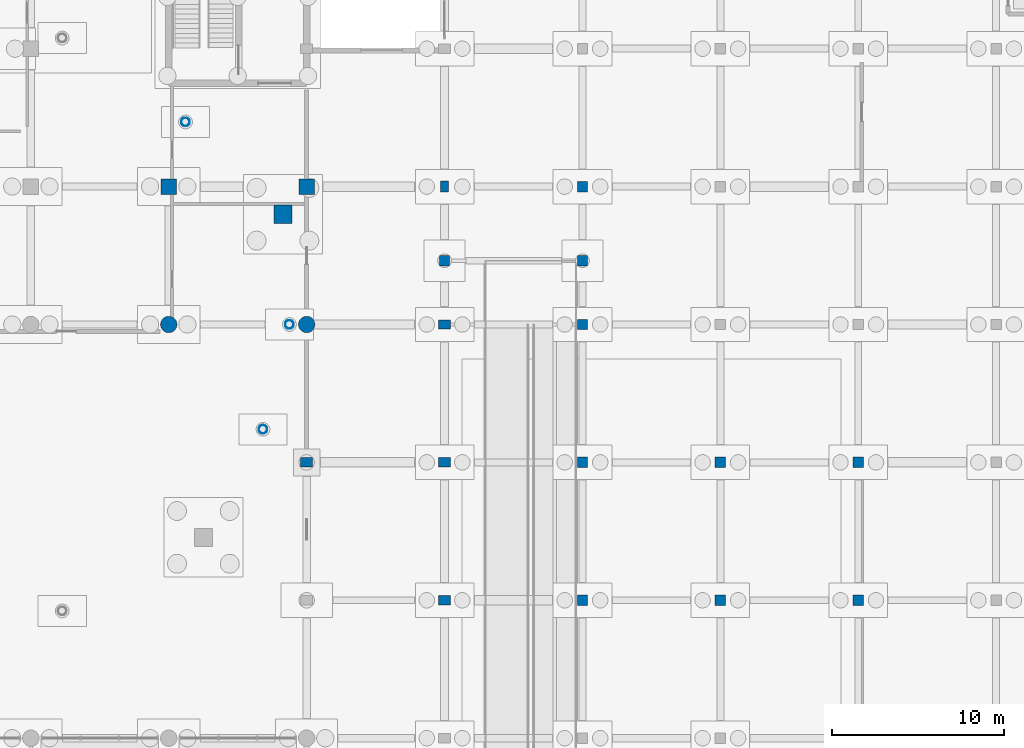
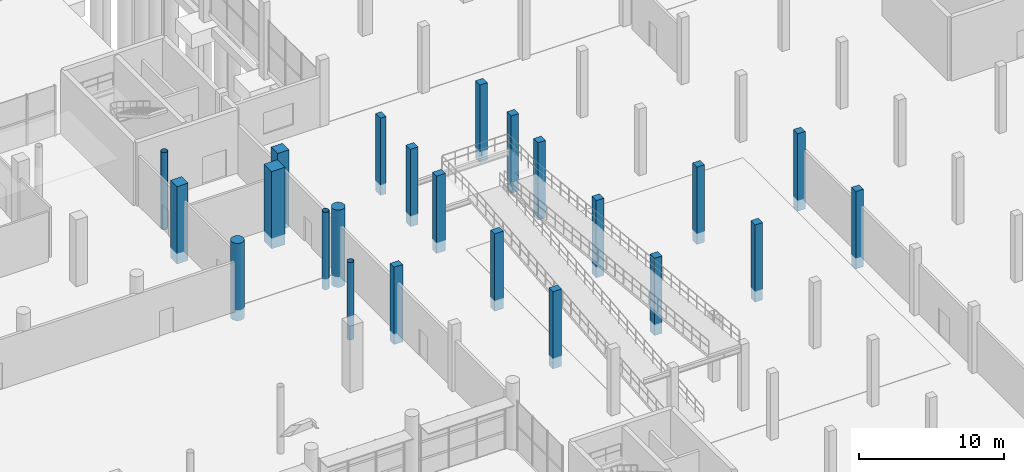
# One storey, part 27 of 98: 23 columns.
"""IFC4 building model written with IfcOpenShell, lengths in metres."""

from ifc_helpers import new_model, si_unit, derived_unit, direction, frame, origin, origin_2d, place, context, subcontext, project, spatial, rectangle, circle, hollow_circle, extrude, material, material_profile, profile_set, type_object, element, save


model = new_model("IFC4")

# Units and contexts
model_context = context("Model", 3, precision=1e-05, world=origin(), true_north=direction((0.0, 1.0)))
body_context = subcontext(model_context, "Body", "Model", "MODEL_VIEW")
ifc_project = project(units=[si_unit("LENGTHUNIT", "METRE"), si_unit("AREAUNIT", "SQUARE_METRE"), si_unit("VOLUMEUNIT", "CUBIC_METRE"), si_unit("PLANEANGLEUNIT", "RADIAN"), si_unit("MASSUNIT", "GRAM", prefix="KILO"), si_unit("THERMODYNAMICTEMPERATUREUNIT", "KELVIN"), derived_unit("THERMALTRANSMITTANCEUNIT", [(si_unit("POWERUNIT", "WATT"), 1), (si_unit("AREAUNIT", "SQUARE_METRE"), -1), (si_unit("THERMODYNAMICTEMPERATUREUNIT", "KELVIN"), -1)])], contexts=[model_context])

# Site, building, storey
site_placement = place(None, origin())
site = spatial("IfcSite", under=ifc_project, at=site_placement, CompositionType="ELEMENT")
building_placement = place(site_placement, origin())
building = spatial("IfcBuilding", under=site, at=building_placement, Name="Haiyu Intermodal Mobility Hub", CompositionType="ELEMENT")
storey_placement = place(building_placement, origin())
storey = spatial("IfcBuildingStorey", under=building, at=storey_placement, Name="L00", CompositionType="ELEMENT", Elevation=0.0)

# Columns
ifc_material_1 = material(Name="Concrete C40", Category="concrete")
ifc_material_profile_1 = material_profile(ifc_material_1, rectangle(XDim=0.89990234375, YDim=0.89990234375, at=origin_2d()), Name="RC900x900")
ifc_profile_set_1 = profile_set([ifc_material_profile_1], Name="Concrete C40")
column_type_1 = type_object("IfcColumnType", Name="COL-CC06", PredefinedType="COLUMN", material=ifc_profile_set_1)
for number, where, z_axis, x_axis, name in (
    (1, (146.0, 72.0, -0.89990234375), (0.0, 0.0, 1.0), (1.0, 0.0, 0.0), "Column V1-16H L00"),
    (2, (154.0, 72.0, -0.89990234375), (0.0, 0.0, 1.0), (1.0, 0.0, 0.0), "Column V1-17H L00"),
):
    element("IfcColumn", number, at=place(storey_placement, frame(where, z_axis=z_axis, x_axis=x_axis)), inside=storey, type_object=column_type_1, Name=name, PredefinedType="COLUMN", context=body_context, shape_type="SweptSolid", body=[
        extrude(rectangle(XDim=0.89990234375, YDim=0.89990234375, at=origin_2d()), origin(), (0.0, 0.0, 1.0), 6.5),
    ])
ifc_material_profile_2 = material_profile(ifc_material_1, rectangle(XDim=0.60009765625, YDim=0.60009765625, at=origin_2d()), Name="RC600x600")
ifc_profile_set_2 = profile_set([ifc_material_profile_2], Name="Concrete C40")
column_type_2 = type_object("IfcColumnType", Name="COL-CC10", PredefinedType="COLUMN", material=ifc_profile_set_2)
for number, where, z_axis, x_axis, name in (
    (3, (170.0, 48.0, -0.89990234375), (0.0, 0.0, 1.0), (1.0, 0.0, 0.0), "Column V5-19E L00"),
    (4, (170.0, 56.0, -0.89990234375), (0.0, 0.0, 1.0), (1.0, 0.0, 0.0), "Column V5-19F L00"),
    (5, (170.0, 64.0, -0.89990234375), (0.0, 0.0, 1.0), (1.0, 0.0, 0.0), "Column V5-19G L00"),
    (6, (178.0, 48.0, -0.89990234375), (0.0, 0.0, 1.0), (1.0, 0.0, 0.0), "Column V5-20E L00"),
    (7, (178.0, 56.0, -0.89990234375), (0.0, 0.0, 1.0), (1.0, 0.0, 0.0), "Column V5-20F L00"),
    (8, (186.0, 48.0, -0.89990234375), (0.0, 0.0, 1.0), (1.0, 0.0, 0.0), "Column V5-21E L00"),
    (9, (186.0, 56.0, -0.89990234375), (0.0, 0.0, 1.0), (1.0, 0.0, 0.0), "Column V5-21F L00"),
    (10, (162.0, 67.699951171875, -0.89990234375), (0.0, 0.0, 1.0), (1.0, 0.0, 0.0), "Column BRMP-5 L00"),
    (11, (170.0, 67.699951171875, -0.89990234375), (0.0, 0.0, 1.0), (1.0, 0.0, 0.0), "Column BRMP-6 L00"),
):
    element("IfcColumn", number, at=place(storey_placement, frame(where, z_axis=z_axis, x_axis=x_axis)), inside=storey, type_object=column_type_2, Name=name, PredefinedType="COLUMN", context=body_context, shape_type="SweptSolid", body=[
        extrude(rectangle(XDim=0.60009765625, YDim=0.60009765625, at=origin_2d()), origin(), (0.0, 0.0, 1.0), 6.5),
    ])
ifc_material_profile_3 = material_profile(ifc_material_1, rectangle(XDim=0.60009765625, YDim=0.60009765625, at=origin_2d()), Name="RC600x600")
ifc_profile_set_3 = profile_set([ifc_material_profile_3], Name="Concrete C40")
column_type_3 = type_object("IfcColumnType", Name="COL-CC10-EXT", PredefinedType="COLUMN", material=ifc_profile_set_3)
column_1_placement = place(storey_placement, frame((170.0, 72.0, -0.89990234375), z_axis=(0.0, 0.0, 1.0), x_axis=(1.0, 0.0, 0.0)))
element("IfcColumn", 12, at=column_1_placement, inside=storey, type_object=column_type_3, Name="Column V5-19H L00", PredefinedType="COLUMN", context=body_context, shape_type="SweptSolid", body=[
    extrude(rectangle(XDim=0.60009765625, YDim=0.60009765625, at=origin_2d()), origin(), (0.0, 0.0, 1.0), 6.5),
])
ifc_material_profile_4 = material_profile(ifc_material_1, rectangle(XDim=1.050048828125, YDim=1.050048828125, at=origin_2d()), Name="RC1050x1050")
ifc_profile_set_4 = profile_set([ifc_material_profile_4], Name="Concrete C40")
column_type_4 = type_object("IfcColumnType", Name="COL-CC12-EXT", PredefinedType="COLUMN", material=ifc_profile_set_4)
column_2_placement = place(storey_placement, frame((152.6259765625, 70.39306640625, -0.89990234375), z_axis=(0.0, 0.0, 1.0), x_axis=(1.0, 0.0, 0.0)))
element("IfcColumn", 13, at=column_2_placement, inside=storey, type_object=column_type_4, Name="Column MP-01 L00", PredefinedType="COLUMN", context=body_context, shape_type="SweptSolid", body=[
    extrude(rectangle(XDim=1.050048828125, YDim=1.050048828125, at=origin_2d()), origin(), (0.0, 0.0, 1.0), 6.5),
])
ifc_material_profile_5 = material_profile(ifc_material_1, rectangle(XDim=0.699951171875, YDim=0.550048828125, at=origin_2d()), Name="C700x550")
ifc_profile_set_5 = profile_set([ifc_material_profile_5], Name="Concrete C40")
column_type_5 = type_object("IfcColumnType", Name="COL-CC16-EXT", PredefinedType="COLUMN", material=ifc_profile_set_5)
for number, where, z_axis, x_axis, name in (
    (14, (154.0, 56.0, -0.89990234375), (0.0, 0.0, 1.0), (1.0, 0.0, 0.0), "Column V5-17F L00"),
    (15, (162.0, 48.0, -0.89990234375), (0.0, 0.0, 1.0), (1.0, 0.0, 0.0), "Column V5-18E L00"),
    (16, (162.0, 56.0, -0.89990234375), (0.0, 0.0, 1.0), (1.0, 0.0, 0.0), "Column V5-18F L00"),
    (17, (162.0, 64.0, -0.89990234375), (0.0, 0.0, 1.0), (1.0, 0.0, 0.0), "Column V5-18G L00"),
):
    element("IfcColumn", number, at=place(storey_placement, frame(where, z_axis=z_axis, x_axis=x_axis)), inside=storey, type_object=column_type_5, Name=name, PredefinedType="COLUMN", context=body_context, shape_type="SweptSolid", body=[
        extrude(rectangle(XDim=0.699951171875, YDim=0.550048828125, at=origin_2d()), origin(), (0.0, 0.0, 1.0), 6.5),
    ])
ifc_material_profile_6 = material_profile(ifc_material_1, circle(Radius=0.47509765625, at=origin_2d()), Name="RCCOL-D950")
ifc_profile_set_6 = profile_set([ifc_material_profile_6], Name="Concrete C40")
column_type_6 = type_object("IfcColumnType", Name="COL-CR03", PredefinedType="COLUMN", material=ifc_profile_set_6)
for number, where, z_axis, x_axis, name in (
    (18, (146.0, 64.0, -0.89990234375), (0.0, 0.0, 1.0), (1.0, 0.0, 0.0), "Column V1-16G L00"),
    (19, (154.0, 64.0, -0.89990234375), (0.0, 0.0, 1.0), (1.0, 0.0, 0.0), "Column V1-17G L00"),
):
    element("IfcColumn", number, at=place(storey_placement, frame(where, z_axis=z_axis, x_axis=x_axis)), inside=storey, type_object=column_type_6, Name=name, PredefinedType="COLUMN", context=body_context, shape_type="SweptSolid", body=[
        extrude(circle(Radius=0.47509765625, at=origin_2d()), origin(), (0.0, 0.0, 1.0), 6.5),
    ])
ifc_material_profile_7 = material_profile(ifc_material_1, rectangle(XDim=0.449951171875, YDim=0.64990234375, at=origin_2d()), Name="C450x650")
ifc_profile_set_7 = profile_set([ifc_material_profile_7], Name="Concrete C40")
column_type_7 = type_object("IfcColumnType", Name="COL-PL13-EXT", PredefinedType="PILASTER", material=ifc_profile_set_7)
column_3_placement = place(storey_placement, frame((162.0, 72.0, -0.89990234375), z_axis=(0.0, 0.0, 1.0), x_axis=(1.0, 0.0, 0.0)))
element("IfcColumn", 20, at=column_3_placement, inside=storey, type_object=column_type_7, Name="Column V5-18H L00", PredefinedType="PILASTER", context=body_context, shape_type="SweptSolid", body=[
    extrude(rectangle(XDim=0.449951171875, YDim=0.64990234375, at=origin_2d()), origin(), (0.0, 0.0, 1.0), 6.5),
])
ifc_material_2 = material(Name="Steel Q355C", Category="steel")
ifc_material_profile_8 = material_profile(ifc_material_2, hollow_circle(Radius=0.25390625, WallThickness=0.01611328125, at=origin_2d()), Name="CHS508x16")
ifc_profile_set_8 = profile_set([ifc_material_profile_8], Name="Steel Q355C")
column_type_8 = type_object("IfcColumnType", Name="COL-SC02-EXT", PredefinedType="COLUMN", material=ifc_profile_set_8)
for number, where, z_axis, x_axis, name in (
    (21, (153.0, 64.0, -0.89990234375), (0.0, 0.0, 1.0), (1.0, 0.0, 0.0), "Column RCOL-01 L00"),
    (22, (146.970947265625, 75.75, -0.89990234375), (0.0, 0.0, 1.0), (1.0, 0.0, 0.0), "Column RCOL-03 L00"),
    (23, (151.467041015625, 57.91796875, -0.89990234375), (0.0, 0.0, 1.0), (1.0, 0.0, 0.0), "Column RCOL-24 L00"),
):
    element("IfcColumn", number, at=place(storey_placement, frame(where, z_axis=z_axis, x_axis=x_axis)), inside=storey, type_object=column_type_8, Name=name, PredefinedType="COLUMN", context=body_context, shape_type="SweptSolid", body=[
        extrude(hollow_circle(Radius=0.25390625, WallThickness=0.01611328125, at=origin_2d()), origin(), (0.0, 0.0, 1.0), 6.5),
    ])

save(model, "model.ifc")
